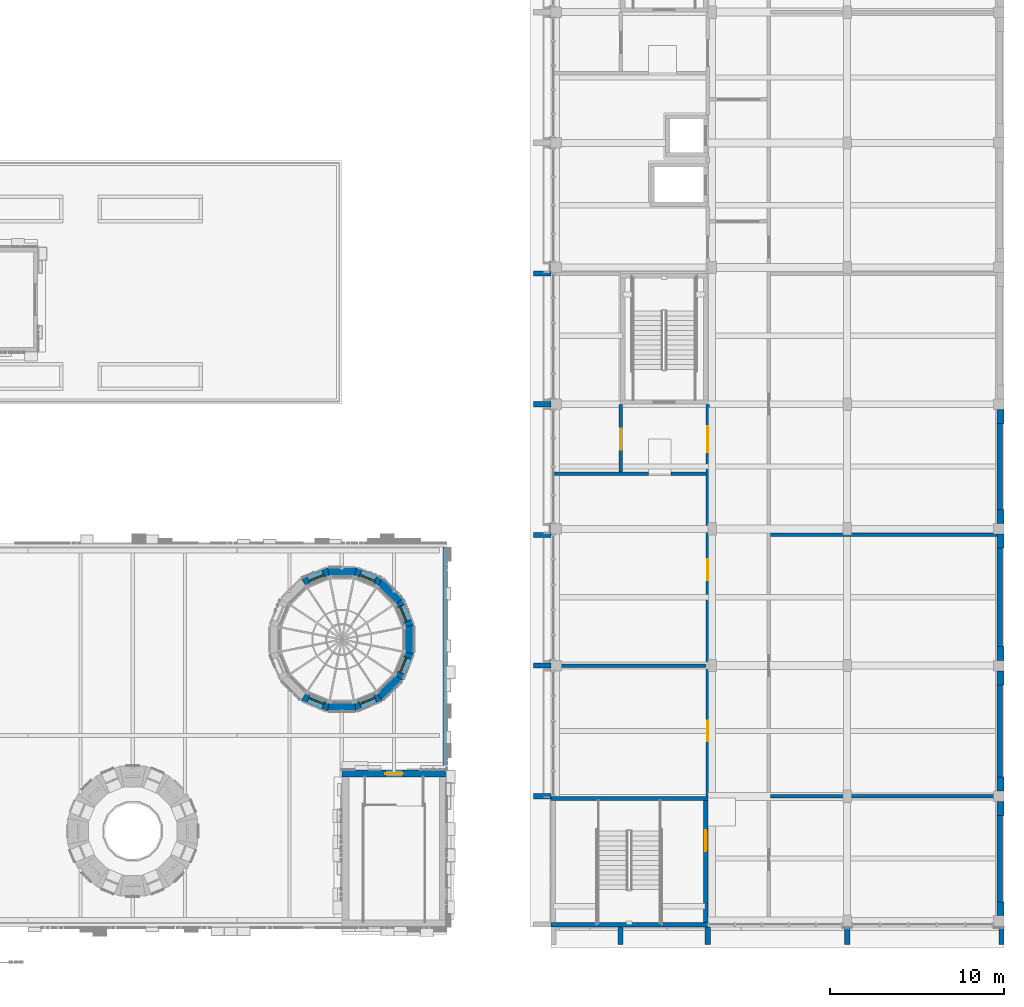
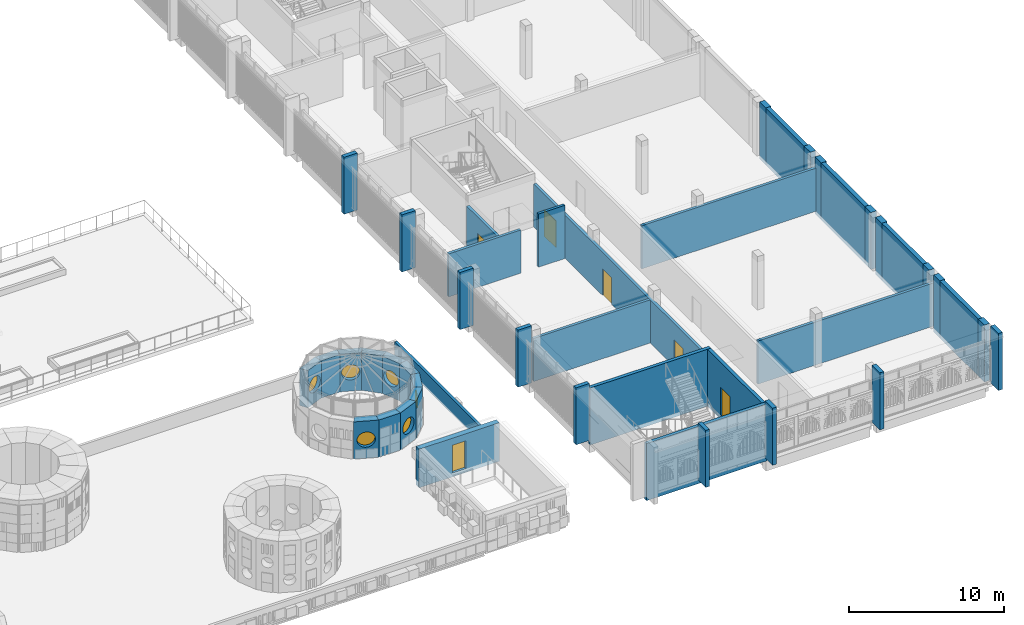
# One storey, part 54 of 98: 44 walls, 6 doors, 6 windows, 12 openings.
"""IFC4 building model written with IfcOpenShell, lengths in metres."""

from ifc_helpers import new_model, si_unit, direction, frame, frame_2d, origin, place, context, subcontext, project, spatial, polyline, rectangle, circle, outline, extrude, material, layer, layer_set, type_object, element, fill, save


model = new_model("IFC4")

# Units and contexts
model_context = context("Model", 3, precision=1e-05, world=origin(), true_north=direction((0.0, 1.0)))
body_context = subcontext(model_context, "Body", "Model", "MODEL_VIEW")
ifc_project = project(units=[si_unit("LENGTHUNIT", "METRE"), si_unit("AREAUNIT", "SQUARE_METRE"), si_unit("VOLUMEUNIT", "CUBIC_METRE"), si_unit("PLANEANGLEUNIT", "RADIAN"), si_unit("MASSUNIT", "GRAM", prefix="KILO")], contexts=[model_context])

# Site, building, storey
site_placement = place(None, origin())
site = spatial("IfcSite", under=ifc_project, at=site_placement, CompositionType="ELEMENT")
building_placement = place(site_placement, origin())
building = spatial("IfcBuilding", under=site, at=building_placement, Name="Sun Court Science Centre", CompositionType="ELEMENT")
storey_placement = place(building_placement, frame((0.0, 0.0, 15.75)))
storey = spatial("IfcBuildingStorey", under=building, at=storey_placement, Name="L03", CompositionType="ELEMENT", Elevation=15.75)

# Walls
ifc_material_1 = material(Name="Concrete C30/37", Category="concrete")
ifc_layer_1 = layer(ifc_material_1, 0.300048828125)
ifc_layer_set_1 = layer_set([ifc_layer_1], Name="Concrete C30/37")
wall_type_1 = type_object("IfcWallType", Name="Facade fin RC 300", PredefinedType="SOLIDWALL", material=ifc_layer_set_1)
for number, where, z_axis, x_axis, name in (
    (1, (77.0, 13.5, 0.0), (0.0, 0.0, 1.0), (1.0, 0.0, 0.0), "Facade fin 02 L03"),
    (2, (77.0, 21.0, 0.0), (0.0, 0.0, 1.0), (1.0, 0.0, 0.0), "Facade fin 03 L03"),
    (3, (77.0, 28.5, 0.0), (0.0, 0.0, 1.0), (1.0, 0.0, 0.0), "Facade fin 04 L03"),
    (4, (77.0, 36.0, 0.0), (0.0, 0.0, 1.0), (1.0, 0.0, 0.0), "Facade fin 05 L03"),
    (5, (77.0, 43.5, 0.0), (0.0, 0.0, 1.0), (1.0, 0.0, 0.0), "Facade fin 06 L03"),
    (6, (82.0, 6.0, 0.0), (0.0, 0.0, 1.0), (0.0, -1.0, 0.0), "Facade fin south 02 L03"),
    (7, (87.0, 6.0, 0.0), (0.0, 0.0, 1.0), (0.0, -1.0, 0.0), "Facade fin south 03 L03"),
    (8, (95.0, 6.0, 0.0), (0.0, 0.0, 1.0), (0.0, -1.0, 0.0), "Facade fin south 04 L03"),
    (9, (103.85009765625, 6.0, 0.0), (0.0, 0.0, 1.0), (0.0, -1.0, 0.0), "Facade fin south 05 L03"),
):
    element("IfcWall", number, at=place(storey_placement, frame(where, z_axis=z_axis, x_axis=x_axis)), inside=storey, type_object=wall_type_1, Name=name, PredefinedType="SOLIDWALL", context=body_context, shape_type="SweptSolid", body=[
        extrude(rectangle(XDim=1.0, YDim=0.300048828125, at=frame_2d((0.5, 0.0))), origin(), (0.0, 0.0, 1.0), 4.5),
    ])
ifc_material_2 = material(Name="Concrete block", Category="concrete")
ifc_layer_2 = layer(ifc_material_2, 0.199951171875)
ifc_layer_set_2 = layer_set([ifc_layer_2], Name="Concrete block")
wall_type_2 = type_object("IfcWallType", Name="Partition 200 block EI60", PredefinedType="PARTITIONING", material=ifc_layer_set_2)
wall_1_placement = place(storey_placement, frame((78.199951171875, 32.0, 0.0), z_axis=(0.0, 0.0, 1.0), x_axis=(1.0, 0.0, 0.0)))
element("IfcWall", 10, at=wall_1_placement, inside=storey, type_object=wall_type_2, Name="L03 partition 004", PredefinedType="PARTITIONING", context=body_context, shape_type="SweptSolid", body=[
    extrude(rectangle(XDim=5.400146484375, YDim=0.199951171875, at=frame_2d((2.7001953125, 0.0))), origin(), (0.0, 0.0, 1.0), 3.39990234375),
])
wall_2_placement = place(storey_placement, frame((84.89990234375, 32.0, 0.0), z_axis=(0.0, 0.0, 1.0), x_axis=(1.0, 0.0, 0.0)))
element("IfcWall", 11, at=wall_2_placement, inside=storey, type_object=wall_type_2, Name="L03 partition 005", PredefinedType="PARTITIONING", context=body_context, shape_type="SweptSolid", body=[
    extrude(rectangle(XDim=2.0, YDim=0.199951171875, at=frame_2d((1.0, 0.0))), origin(), (0.0, 0.0, 1.0), 4.199951171875),
])

# Wall, opening, door
wall_3_placement = place(storey_placement, frame((82.0, 32.10009765625, 0.0), z_axis=(0.0, 0.0, 1.0), x_axis=(0.0, 1.0, 0.0)))
wall_3 = element("IfcWall", 12, at=wall_3_placement, inside=storey, type_object=wall_type_2, Name="L03 partition 023", PredefinedType="PARTITIONING", context=body_context, shape_type="SweptSolid", body=[
    extrude(rectangle(XDim=3.89794921875, YDim=0.199951171875, at=frame_2d((1.948974609375, 0.0))), origin(), (0.0, 0.0, 1.0), 3.39990234375),
])
opening_1_placement = place(wall_3_placement, frame((1.301025390625, 0.0, 0.0)))
opening_1 = element("IfcOpeningElement", 13, at=opening_1_placement, cuts=wall_3, Name="Opening D-L03-017", PredefinedType="OPENING", context=body_context, shape_type="SweptSolid", body=[
    extrude(rectangle(XDim=1.199951171875, YDim=2.10009765625, at=frame_2d((0.60009765625, 1.050048828125))), frame((0.0, 0.10986328125, 0.0), z_axis=(0.0, -1.0, 0.0), x_axis=(1.0, 0.0, 0.0)), (0.0, 0.0, 1.0), 0.219970703125),
])
ifc_material_3 = material(Name="Timber", Category="wood")
door_type_1 = type_object("IfcDoorType", Name="Door 1200x2100 single leaf", OperationType="NOTDEFINED", PredefinedType="DOOR", material=ifc_material_3)
door_1_placement = place(opening_1_placement, origin())
door_1 = element("IfcDoor", 14, at=door_1_placement, inside=storey, type_object=door_type_1, Name="Door D-L03-017", OperationType="SINGLE_SWING_RIGHT", OverallHeight=2.10009765625, OverallWidth=1.199951171875, PredefinedType="DOOR", context=body_context, shape_type="SweptSolid", body=[
    extrude(rectangle(XDim=1.199951171875, YDim=2.10009765625, at=frame_2d((0.60009765625, 1.050048828125))), frame((0.0, 0.02490234375, 0.0), z_axis=(0.0, -1.0, 0.0), x_axis=(1.0, 0.0, 0.0)), (0.0, 0.0, 1.0), 0.050048828125),
])
fill(opening_1, door_1)

# Wall, openings, doors
ifc_material_4 = material(Name="Concrete block", Category="concrete")
ifc_layer_3 = layer(ifc_material_4, 0.199951171875)
ifc_layer_set_3 = layer_set([ifc_layer_3], Name="Concrete block")
wall_type_3 = type_object("IfcWallType", Name="Partition 200 corridor block EI120", PredefinedType="PARTITIONING", material=ifc_layer_set_3)
wall_4_placement = place(storey_placement, frame((87.0, 13.501953125, 0.0), z_axis=(0.0, 0.0, 1.0), x_axis=(0.0, 1.0, 0.0)))
wall_4 = element("IfcWall", 15, at=wall_4_placement, inside=storey, type_object=wall_type_3, Name="L03 partition 018", PredefinedType="PARTITIONING", context=body_context, shape_type="SweptSolid", body=[
    extrude(rectangle(XDim=22.49609375, YDim=0.199951171875, at=frame_2d((11.248046875, 0.0))), origin(), (0.0, 0.0, 1.0), 3.39990234375),
])
opening_2_placement = place(wall_4_placement, frame((19.748046875, 0.0, 0.0)))
opening_2 = element("IfcOpeningElement", 16, at=opening_2_placement, cuts=wall_4, Name="Opening D-L03-009", PredefinedType="OPENING", context=body_context, shape_type="SweptSolid", body=[
    extrude(rectangle(XDim=1.5, YDim=2.10009765625, at=frame_2d((0.75, 1.050048828125))), frame((0.0, 0.10986328125, 0.0), z_axis=(0.0, -1.0, 0.0), x_axis=(1.0, 0.0, 0.0)), (0.0, 0.0, 1.0), 0.219970703125),
])
opening_3_placement = place(wall_4_placement, frame((3.14794921875, 0.0, 0.0)))
opening_3 = element("IfcOpeningElement", 17, at=opening_3_placement, cuts=wall_4, Name="Opening D-L03-015", PredefinedType="OPENING", context=body_context, shape_type="SweptSolid", body=[
    extrude(rectangle(XDim=1.199951171875, YDim=2.10009765625, at=frame_2d((0.60009765625, 1.050048828125))), frame((0.0, 0.10986328125, 0.0), z_axis=(0.0, -1.0, 0.0), x_axis=(1.0, 0.0, 0.0)), (0.0, 0.0, 1.0), 0.219970703125),
])
opening_4_placement = place(wall_4_placement, frame((12.39794921875, 0.0, 0.0)))
opening_4 = element("IfcOpeningElement", 18, at=opening_4_placement, cuts=wall_4, Name="Opening D-L03-016", PredefinedType="OPENING", context=body_context, shape_type="SweptSolid", body=[
    extrude(rectangle(XDim=1.199951171875, YDim=2.10009765625, at=frame_2d((0.60009765625, 1.050048828125))), frame((0.0, 0.10986328125, 0.0), z_axis=(0.0, -1.0, 0.0), x_axis=(1.0, 0.0, 0.0)), (0.0, 0.0, 1.0), 0.219970703125),
])
ifc_material_5 = material(Name="Steel", Category="steel")
door_type_2 = type_object("IfcDoorType", Name="Door 1200x2100 single leaf FD60", OperationType="NOTDEFINED", PredefinedType="DOOR", material=ifc_material_5)
door_2_placement = place(opening_3_placement, origin())
door_2 = element("IfcDoor", 19, at=door_2_placement, inside=storey, type_object=door_type_2, Name="Door D-L03-015", OperationType="SINGLE_SWING_RIGHT", OverallHeight=2.10009765625, OverallWidth=1.199951171875, PredefinedType="DOOR", context=body_context, shape_type="SweptSolid", body=[
    extrude(rectangle(XDim=1.199951171875, YDim=2.10009765625, at=frame_2d((0.60009765625, 1.050048828125))), frame((0.0, 0.02490234375, 0.0), z_axis=(0.0, -1.0, 0.0), x_axis=(1.0, 0.0, 0.0)), (0.0, 0.0, 1.0), 0.050048828125),
])
fill(opening_3, door_2)
door_3_placement = place(opening_4_placement, origin())
door_3 = element("IfcDoor", 20, at=door_3_placement, inside=storey, type_object=door_type_2, Name="Door D-L03-016", OperationType="SINGLE_SWING_LEFT", OverallHeight=2.10009765625, OverallWidth=1.199951171875, PredefinedType="DOOR", context=body_context, shape_type="SweptSolid", body=[
    extrude(rectangle(XDim=1.199951171875, YDim=2.10009765625, at=frame_2d((0.60009765625, 1.050048828125))), frame((0.0, 0.02490234375, 0.0), z_axis=(0.0, -1.0, 0.0), x_axis=(1.0, 0.0, 0.0)), (0.0, 0.0, 1.0), 0.050048828125),
])
fill(opening_4, door_3)
ifc_material_6 = material(Name="Steel", Category="steel")
door_type_3 = type_object("IfcDoorType", Name="Door 1500x2100 double leaf FD60", OperationType="DOUBLE_DOOR_SINGLE_SWING", PredefinedType="DOOR", material=ifc_material_6)
door_4_placement = place(opening_2_placement, origin())
door_4 = element("IfcDoor", 21, at=door_4_placement, inside=storey, type_object=door_type_3, Name="Door D-L03-009", OperationType="DOUBLE_DOOR_SINGLE_SWING", OverallHeight=2.10009765625, OverallWidth=1.5, PredefinedType="DOOR", context=body_context, shape_type="SweptSolid", body=[
    extrude(rectangle(XDim=1.5, YDim=2.10009765625, at=frame_2d((0.75, 1.050048828125))), frame((0.0, 0.02490234375, 0.0), z_axis=(0.0, -1.0, 0.0), x_axis=(1.0, 0.0, 0.0)), (0.0, 0.0, 1.0), 0.050048828125),
])
fill(opening_2, door_4)

# Walls
ifc_material_7 = material(Name="Concrete block", Category="concrete")
ifc_layer_4 = layer(ifc_material_7, 0.199951171875)
ifc_layer_set_4 = layer_set([ifc_layer_4], Name="Concrete block")
wall_type_4 = type_object("IfcWallType", Name="Partition 200 laboratory block", PredefinedType="PARTITIONING", material=ifc_layer_set_4)
wall_5_placement = place(storey_placement, frame((90.60009765625, 13.5, 0.0), z_axis=(0.0, 0.0, 1.0), x_axis=(1.0, 0.0, 0.0)))
element("IfcWall", 22, at=wall_5_placement, inside=storey, type_object=wall_type_4, Name="L03 partition 001", PredefinedType="PARTITIONING", context=body_context, shape_type="SweptSolid", body=[
    extrude(rectangle(XDim=13.199951171875, YDim=0.199951171875, at=frame_2d((6.60009765625, 0.0))), origin(), (0.0, 0.0, 1.0), 3.39990234375),
])
wall_6_placement = place(storey_placement, frame((78.199951171875, 21.0, 0.0), z_axis=(0.0, 0.0, 1.0), x_axis=(1.0, 0.0, 0.0)))
element("IfcWall", 23, at=wall_6_placement, inside=storey, type_object=wall_type_4, Name="L03 partition 002", PredefinedType="PARTITIONING", context=body_context, shape_type="SweptSolid", body=[
    extrude(rectangle(XDim=8.699951171875, YDim=0.199951171875, at=frame_2d((4.35009765625, 0.0))), origin(), (0.0, 0.0, 1.0), 3.39990234375),
])
wall_7_placement = place(storey_placement, frame((90.60009765625, 28.5, 0.0), z_axis=(0.0, 0.0, 1.0), x_axis=(1.0, 0.0, 0.0)))
element("IfcWall", 24, at=wall_7_placement, inside=storey, type_object=wall_type_4, Name="L03 partition 003", PredefinedType="PARTITIONING", context=body_context, shape_type="SweptSolid", body=[
    extrude(rectangle(XDim=12.997802734375, YDim=0.199951171875, at=frame_2d((6.4990234375, 0.0))), origin(), (0.0, 0.0, 1.0), 3.39990234375),
])

# Wall, opening, window
ifc_material_8 = material(Name="Concrete C30/37", Category="concrete")
ifc_layer_5 = layer(ifc_material_8, 0.60009765625)
ifc_layer_set_5 = layer_set([ifc_layer_5], Name="Concrete C30/37")
wall_type_5 = type_object("IfcWallType", Name="RC cone ring wall exterior 600", PredefinedType="SHEAR", material=ifc_layer_set_5)
wall_8_placement = place(storey_placement, frame((69.842041015625, 23.20458984375, 0.110107421875), z_axis=(0.0, 0.0, 1.0), x_axis=(-0.382614973625, 0.923907886078, 0.0)))
wall_8 = element("IfcWall", 25, at=wall_8_placement, inside=storey, type_object=wall_type_5, Name="Cone 6 ring wall L03 segment 1", PredefinedType="SHEAR", context=body_context, shape_type="SweptSolid", body=[
    extrude(outline(polyline([(0.0, -0.300048828125), (1.638916015625, -0.300048828125), (1.519287109375, 0.30029296875), (0.119140625, 0.300048828125), (0.0, -0.300048828125)])), origin(), (0.0, 0.0, 1.0), 2.93994140625),
])
opening_5_placement = place(wall_8_placement, frame((0.219482421875, 0.0, 0.8701171875)))
opening_5 = element("IfcOpeningElement", 26, at=opening_5_placement, cuts=wall_8, Name="Opening WN-L03-049", PredefinedType="OPENING", context=body_context, shape_type="SweptSolid", body=[
    extrude(circle(Radius=0.60009765625, at=frame_2d((0.60009765625, 0.60009765625))), frame((0.0, 0.31005859375, 0.0), z_axis=(0.0, -1.0, 0.0), x_axis=(1.0, 0.0, 0.0)), (0.0, 0.0, 1.0), 0.6201171875),
])
ifc_material_9 = material(Name="Aluminium frame, 6-12-6 glazing", Category="aluminium")
window_type = type_object("IfcWindowType", Name="Round porthole 1200", PartitioningType="SINGLE_PANEL", PredefinedType="WINDOW", material=ifc_material_9)
window_1_placement = place(opening_5_placement, origin())
window_1 = element("IfcWindow", 27, at=window_1_placement, inside=storey, type_object=window_type, Name="Round porthole cone 6 ring 4 01", OverallHeight=1.199951171875, OverallWidth=1.199951171875, PartitioningType="SINGLE_PANEL", PredefinedType="WINDOW", context=body_context, shape_type="SweptSolid", body=[
    extrude(circle(Radius=0.60009765625, at=frame_2d((0.60009765625, 0.60009765625))), frame((0.0, 0.030029296875, 0.0), z_axis=(0.0, -1.0, 0.0), x_axis=(1.0, 0.0, 0.0)), (0.0, 0.0, 1.0), 0.06005859375),
])
fill(opening_5, window_1)

# Wall
wall_9_placement = place(storey_placement, frame((69.280029296875, 24.621337890625, 0.110107421875), z_axis=(0.0, 0.0, 1.0), x_axis=(-0.707106781187, 0.707106781187, 0.0)))
element("IfcWall", 28, at=wall_9_placement, inside=storey, type_object=wall_type_5, Name="Cone 6 ring wall L03 segment 2", PredefinedType="SHEAR", context=body_context, shape_type="SweptSolid", body=[
    extrude(outline(polyline([(0.0, -0.300048828125), (1.638671875, -0.300048828125), (1.519287109375, 0.30029296875), (0.119384765625, 0.30029296875), (0.0, -0.300048828125)])), origin(), (0.0, 0.0, 1.0), 2.93994140625),
])

# Wall, opening, window
wall_10_placement = place(storey_placement, frame((68.218505859375, 25.715087890625, 0.110107421875), z_axis=(0.0, 0.0, 1.0), x_axis=(-0.923907886078, 0.382614973625, 0.0)))
wall_10 = element("IfcWall", 29, at=wall_10_placement, inside=storey, type_object=wall_type_5, Name="Cone 6 ring wall L03 segment 3", PredefinedType="SHEAR", context=body_context, shape_type="SweptSolid", body=[
    extrude(outline(polyline([(-0.000244140625, -0.300048828125), (1.638671875, -0.300048828125), (1.519287109375, 0.300048828125), (0.119384765625, 0.30029296875), (-0.000244140625, -0.300048828125)])), origin(), (0.0, 0.0, 1.0), 2.93994140625),
])
opening_6_placement = place(wall_10_placement, frame((0.219482421875, 0.0, 0.8701171875)))
opening_6 = element("IfcOpeningElement", 30, at=opening_6_placement, cuts=wall_10, Name="Opening WN-L03-050", PredefinedType="OPENING", context=body_context, shape_type="SweptSolid", body=[
    extrude(circle(Radius=0.60009765625, at=frame_2d((0.60009765625, 0.60009765625))), frame((0.0, 0.31005859375, 0.0), z_axis=(0.0, -1.0, 0.0), x_axis=(1.0, 0.0, 0.0)), (0.0, 0.0, 1.0), 0.6201171875),
])
window_2_placement = place(opening_6_placement, origin())
window_2 = element("IfcWindow", 31, at=window_2_placement, inside=storey, type_object=window_type, Name="Round porthole cone 6 ring 4 03", OverallHeight=1.199951171875, OverallWidth=1.199951171875, PartitioningType="SINGLE_PANEL", PredefinedType="WINDOW", context=body_context, shape_type="SweptSolid", body=[
    extrude(circle(Radius=0.60009765625, at=frame_2d((0.60009765625, 0.60009765625))), frame((0.0, 0.030029296875, 0.0), z_axis=(0.0, -1.0, 0.0), x_axis=(1.0, 0.0, 0.0)), (0.0, 0.0, 1.0), 0.06005859375),
])
fill(opening_6, window_2)

# Wall
wall_11_placement = place(storey_placement, frame((66.8193359375, 26.3193359375, 0.110107421875), z_axis=(0.0, 0.0, 1.0), x_axis=(-1.0, 0.0, 0.0)))
element("IfcWall", 32, at=wall_11_placement, inside=storey, type_object=wall_type_5, Name="Cone 6 ring wall L03 segment 4", PredefinedType="SHEAR", context=body_context, shape_type="SweptSolid", body=[
    extrude(outline(polyline([(0.0, -0.300048828125), (1.638671875, -0.300048828125), (1.519287109375, 0.300048828125), (0.119384765625, 0.300048828125), (0.0, -0.300048828125)])), origin(), (0.0, 0.0, 1.0), 2.93994140625),
])

# Wall, opening, window
wall_12_placement = place(storey_placement, frame((65.29541015625, 26.342041015625, 0.110107421875), z_axis=(0.0, 0.0, 1.0), x_axis=(-0.923907886078, -0.382614973625, 0.0)))
wall_12 = element("IfcWall", 33, at=wall_12_placement, inside=storey, type_object=wall_type_5, Name="Cone 6 ring wall L03 segment 5", PredefinedType="SHEAR", context=body_context, shape_type="SweptSolid", body=[
    extrude(outline(polyline([(0.0, -0.300048828125), (1.638916015625, -0.300048828125), (1.519287109375, 0.30029296875), (0.119140625, 0.300048828125), (0.0, -0.300048828125)])), origin(), (0.0, 0.0, 1.0), 2.93994140625),
])
opening_7_placement = place(wall_12_placement, frame((0.219482421875, 0.0, 0.8701171875)))
opening_7 = element("IfcOpeningElement", 34, at=opening_7_placement, cuts=wall_12, Name="Opening WN-L03-051", PredefinedType="OPENING", context=body_context, shape_type="SweptSolid", body=[
    extrude(circle(Radius=0.60009765625, at=frame_2d((0.60009765625, 0.60009765625))), frame((0.0, 0.31005859375, 0.0), z_axis=(0.0, -1.0, 0.0), x_axis=(1.0, 0.0, 0.0)), (0.0, 0.0, 1.0), 0.6201171875),
])
window_3_placement = place(opening_7_placement, origin())
window_3 = element("IfcWindow", 35, at=window_3_placement, inside=storey, type_object=window_type, Name="Round porthole cone 6 ring 4 05", OverallHeight=1.199951171875, OverallWidth=1.199951171875, PartitioningType="SINGLE_PANEL", PredefinedType="WINDOW", context=body_context, shape_type="SweptSolid", body=[
    extrude(circle(Radius=0.60009765625, at=frame_2d((0.60009765625, 0.60009765625))), frame((0.0, 0.030029296875, 0.0), z_axis=(0.0, -1.0, 0.0), x_axis=(1.0, 0.0, 0.0)), (0.0, 0.0, 1.0), 0.06005859375),
])
fill(opening_7, window_3)

wall_13_placement = place(storey_placement, frame((63.781494140625, 19.284912109375, 0.110107421875), z_axis=(0.0, 0.0, 1.0), x_axis=(0.923907886078, -0.382614973625, 0.0)))
wall_13 = element("IfcWall", 36, at=wall_13_placement, inside=storey, type_object=wall_type_5, Name="Cone 6 ring wall L03 segment 11", PredefinedType="SHEAR", context=body_context, shape_type="SweptSolid", body=[
    extrude(outline(polyline([(-0.000244140625, -0.300048828125), (1.638671875, -0.300048828125), (1.519287109375, 0.300048828125), (0.119384765625, 0.30029296875), (-0.000244140625, -0.300048828125)])), origin(), (0.0, 0.0, 1.0), 2.93994140625),
])
opening_8_placement = place(wall_13_placement, frame((0.219482421875, 0.0, 0.8701171875)))
opening_8 = element("IfcOpeningElement", 37, at=opening_8_placement, cuts=wall_13, Name="Opening WN-L03-054", PredefinedType="OPENING", context=body_context, shape_type="SweptSolid", body=[
    extrude(circle(Radius=0.60009765625, at=frame_2d((0.60009765625, 0.60009765625))), frame((0.0, 0.31005859375, 0.0), z_axis=(0.0, -1.0, 0.0), x_axis=(1.0, 0.0, 0.0)), (0.0, 0.0, 1.0), 0.6201171875),
])
window_4_placement = place(opening_8_placement, origin())
window_4 = element("IfcWindow", 38, at=window_4_placement, inside=storey, type_object=window_type, Name="Round porthole cone 6 ring 4 11", OverallHeight=1.199951171875, OverallWidth=1.199951171875, PartitioningType="SINGLE_PANEL", PredefinedType="WINDOW", context=body_context, shape_type="SweptSolid", body=[
    extrude(circle(Radius=0.60009765625, at=frame_2d((0.60009765625, 0.60009765625))), frame((0.0, 0.030029296875, 0.0), z_axis=(0.0, -1.0, 0.0), x_axis=(1.0, 0.0, 0.0)), (0.0, 0.0, 1.0), 0.06005859375),
])
fill(opening_8, window_4)

# Wall
wall_14_placement = place(storey_placement, frame((65.1806640625, 18.6806640625, 0.110107421875), z_axis=(0.0, 0.0, 1.0), x_axis=(1.0, 0.0, 0.0)))
element("IfcWall", 39, at=wall_14_placement, inside=storey, type_object=wall_type_5, Name="Cone 6 ring wall L03 segment 12", PredefinedType="SHEAR", context=body_context, shape_type="SweptSolid", body=[
    extrude(outline(polyline([(0.0, -0.300048828125), (1.638671875, -0.300048828125), (1.519287109375, 0.300048828125), (0.119384765625, 0.300048828125), (0.0, -0.300048828125)])), origin(), (0.0, 0.0, 1.0), 2.93994140625),
])

# Wall, opening, window
wall_15_placement = place(storey_placement, frame((66.70458984375, 18.657958984375, 0.110107421875), z_axis=(0.0, 0.0, 1.0), x_axis=(0.923907886078, 0.382614973625, 0.0)))
wall_15 = element("IfcWall", 40, at=wall_15_placement, inside=storey, type_object=wall_type_5, Name="Cone 6 ring wall L03 segment 13", PredefinedType="SHEAR", context=body_context, shape_type="SweptSolid", body=[
    extrude(outline(polyline([(0.0, -0.300048828125), (1.638916015625, -0.300048828125), (1.519287109375, 0.30029296875), (0.119140625, 0.300048828125), (0.0, -0.300048828125)])), origin(), (0.0, 0.0, 1.0), 2.93994140625),
])
opening_9_placement = place(wall_15_placement, frame((0.219482421875, 0.0, 0.8701171875)))
opening_9 = element("IfcOpeningElement", 41, at=opening_9_placement, cuts=wall_15, Name="Opening WN-L03-055", PredefinedType="OPENING", context=body_context, shape_type="SweptSolid", body=[
    extrude(circle(Radius=0.60009765625, at=frame_2d((0.60009765625, 0.60009765625))), frame((0.0, 0.31005859375, 0.0), z_axis=(0.0, -1.0, 0.0), x_axis=(1.0, 0.0, 0.0)), (0.0, 0.0, 1.0), 0.6201171875),
])
window_5_placement = place(opening_9_placement, origin())
window_5 = element("IfcWindow", 42, at=window_5_placement, inside=storey, type_object=window_type, Name="Round porthole cone 6 ring 4 13", OverallHeight=1.199951171875, OverallWidth=1.199951171875, PartitioningType="SINGLE_PANEL", PredefinedType="WINDOW", context=body_context, shape_type="SweptSolid", body=[
    extrude(circle(Radius=0.60009765625, at=frame_2d((0.60009765625, 0.60009765625))), frame((0.0, 0.030029296875, 0.0), z_axis=(0.0, -1.0, 0.0), x_axis=(1.0, 0.0, 0.0)), (0.0, 0.0, 1.0), 0.06005859375),
])
fill(opening_9, window_5)

# Wall
wall_16_placement = place(storey_placement, frame((68.121337890625, 19.219970703125, 0.110107421875), z_axis=(0.0, 0.0, 1.0), x_axis=(0.707106781187, 0.707106781187, 0.0)))
element("IfcWall", 43, at=wall_16_placement, inside=storey, type_object=wall_type_5, Name="Cone 6 ring wall L03 segment 14", PredefinedType="SHEAR", context=body_context, shape_type="SweptSolid", body=[
    extrude(outline(polyline([(0.0, -0.300048828125), (1.638671875, -0.300048828125), (1.519287109375, 0.30029296875), (0.119384765625, 0.30029296875), (0.0, -0.300048828125)])), origin(), (0.0, 0.0, 1.0), 2.93994140625),
])

# Wall, opening, window
wall_17_placement = place(storey_placement, frame((69.215087890625, 20.281494140625, 0.110107421875), z_axis=(0.0, 0.0, 1.0), x_axis=(0.382614973625, 0.923907886078, 0.0)))
wall_17 = element("IfcWall", 44, at=wall_17_placement, inside=storey, type_object=wall_type_5, Name="Cone 6 ring wall L03 segment 15", PredefinedType="SHEAR", context=body_context, shape_type="SweptSolid", body=[
    extrude(outline(polyline([(-0.000244140625, -0.300048828125), (1.638671875, -0.300048828125), (1.519287109375, 0.300048828125), (0.119384765625, 0.30029296875), (-0.000244140625, -0.300048828125)])), origin(), (0.0, 0.0, 1.0), 2.93994140625),
])
opening_10_placement = place(wall_17_placement, frame((0.219482421875, 0.0, 0.8701171875)))
opening_10 = element("IfcOpeningElement", 45, at=opening_10_placement, cuts=wall_17, Name="Opening WN-L03-056", PredefinedType="OPENING", context=body_context, shape_type="SweptSolid", body=[
    extrude(circle(Radius=0.60009765625, at=frame_2d((0.60009765625, 0.60009765625))), frame((0.0, 0.31005859375, 0.0), z_axis=(0.0, -1.0, 0.0), x_axis=(1.0, 0.0, 0.0)), (0.0, 0.0, 1.0), 0.6201171875),
])
window_6_placement = place(opening_10_placement, origin())
window_6 = element("IfcWindow", 46, at=window_6_placement, inside=storey, type_object=window_type, Name="Round porthole cone 6 ring 4 15", OverallHeight=1.199951171875, OverallWidth=1.199951171875, PartitioningType="SINGLE_PANEL", PredefinedType="WINDOW", context=body_context, shape_type="SweptSolid", body=[
    extrude(circle(Radius=0.60009765625, at=frame_2d((0.60009765625, 0.60009765625))), frame((0.0, 0.030029296875, 0.0), z_axis=(0.0, -1.0, 0.0), x_axis=(1.0, 0.0, 0.0)), (0.0, 0.0, 1.0), 0.06005859375),
])
fill(opening_10, window_6)

# Walls
wall_18_placement = place(storey_placement, frame((69.8193359375, 21.6806640625, 0.110107421875), z_axis=(0.0, 0.0, 1.0), x_axis=(0.0, 1.0, 0.0)))
element("IfcWall", 47, at=wall_18_placement, inside=storey, type_object=wall_type_5, Name="Cone 6 ring wall L03 segment 16", PredefinedType="SHEAR", context=body_context, shape_type="SweptSolid", body=[
    extrude(outline(polyline([(0.0, -0.300048828125), (1.638671875, -0.300048828125), (1.519287109375, 0.300048828125), (0.119384765625, 0.300048828125), (0.0, -0.300048828125)])), origin(), (0.0, 0.0, 1.0), 2.93994140625),
])
ifc_material_10 = material(Name="Concrete C30/37", Category="concrete")
ifc_layer_6 = layer(ifc_material_10, 0.199951171875)
ifc_layer_set_6 = layer_set([ifc_layer_6], Name="Concrete C30/37")
wall_type_6 = type_object("IfcWallType", Name="RC parapet 200", PredefinedType="PARAPET", material=ifc_layer_set_6)
wall_19_placement = place(storey_placement, frame((71.89990234375, 27.800048828125, 0.0), z_axis=(0.0, 0.0, 1.0), x_axis=(0.0, -1.0, 0.0)))
element("IfcWall", 48, at=wall_19_placement, inside=storey, type_object=wall_type_6, Name="Roof parapet east face 01", PredefinedType="PARAPET", context=body_context, shape_type="SweptSolid", body=[
    extrude(rectangle(XDim=12.800048828125, YDim=0.199951171875, at=frame_2d((6.39990234375, 0.0))), origin(), (0.0, 0.0, 1.0), 1.199951171875),
])
ifc_material_11 = material(Name="Concrete C30/37", Category="concrete")
ifc_layer_7 = layer(ifc_material_11, 0.39990234375)
ifc_layer_set_7 = layer_set([ifc_layer_7], Name="Concrete C30/37")
wall_type_7 = type_object("IfcWallType", Name="RC party wall exterior 400", PredefinedType="SOLIDWALL", material=ifc_layer_set_7)
for number, where, z_axis, x_axis, name in (
    (49, (103.800048828125, 6.64990234375, -0.300048828125), (0.0, 0.0, 1.0), (0.0, 1.0, 0.0), "East party wall L03"),
    (50, (103.800048828125, 12.39990234375, -0.300048828125), (0.0, 0.0, 1.0), (0.0, 1.0, 0.0), "East party wall L03"),
    (51, (103.800048828125, 13.800048828125, -0.300048828125), (0.0, 0.0, 1.0), (0.0, 1.0, 0.0), "East party wall L03"),
    (52, (103.800048828125, 19.89990234375, -0.300048828125), (0.0, 0.0, 1.0), (0.0, 1.0, 0.0), "East party wall L03"),
    (53, (103.800048828125, 21.300048828125, -0.300048828125), (0.0, 0.0, 1.0), (0.0, 1.0, 0.0), "East party wall L03"),
    (54, (103.800048828125, 27.75, -0.300048828125), (0.0, 0.0, 1.0), (0.0, 1.0, 0.0), "East party wall L03"),
    (55, (103.800048828125, 29.14990234375, -0.300048828125), (0.0, 0.0, 1.0), (0.0, 1.0, 0.0), "East party wall L03"),
    (56, (103.800048828125, 34.89990234375, -0.300048828125), (0.0, 0.0, 1.0), (0.0, 1.0, 0.0), "East party wall L03"),
):
    element("IfcWall", number, at=place(storey_placement, frame(where, z_axis=z_axis, x_axis=x_axis)), inside=storey, type_object=wall_type_7, Name=name, PredefinedType="SOLIDWALL", context=body_context, shape_type="SweptSolid", body=[
        extrude(rectangle(XDim=0.800048828125, YDim=0.39990234375, at=frame_2d((0.39990234375, 0.0))), origin(), (0.0, 0.0, 1.0), 4.5),
    ])
ifc_material_12 = material(Name="Concrete C30/37", Category="concrete")
ifc_layer_8 = layer(ifc_material_12, 0.300048828125)
ifc_layer_set_8 = layer_set([ifc_layer_8], Name="Concrete C30/37")
wall_type_8 = type_object("IfcWallType", Name="RC party wall panel exterior 300", PredefinedType="SOLIDWALL", material=ifc_layer_set_8)
wall_20_placement = place(storey_placement, frame((103.75, 7.449951171875, -0.300048828125), z_axis=(0.0, 0.0, 1.0), x_axis=(0.0, 1.0, 0.0)))
element("IfcWall", 57, at=wall_20_placement, inside=storey, type_object=wall_type_8, Name="East party wall L03 panel", PredefinedType="SOLIDWALL", context=body_context, shape_type="SweptSolid", body=[
    extrude(rectangle(XDim=4.949951171875, YDim=0.300048828125, at=frame_2d((2.47509765625, 0.0))), origin(), (0.0, 0.0, 1.0), 4.5),
])
wall_21_placement = place(storey_placement, frame((103.75, 14.60009765625, -0.300048828125), z_axis=(0.0, 0.0, 1.0), x_axis=(0.0, 1.0, 0.0)))
element("IfcWall", 58, at=wall_21_placement, inside=storey, type_object=wall_type_8, Name="East party wall L03 panel", PredefinedType="SOLIDWALL", context=body_context, shape_type="SweptSolid", body=[
    extrude(rectangle(XDim=5.2998046875, YDim=0.300048828125, at=frame_2d((2.64990234375, 0.0))), origin(), (0.0, 0.0, 1.0), 4.5),
])
wall_22_placement = place(storey_placement, frame((103.75, 22.10009765625, -0.300048828125), z_axis=(0.0, 0.0, 1.0), x_axis=(0.0, 1.0, 0.0)))
element("IfcWall", 59, at=wall_22_placement, inside=storey, type_object=wall_type_8, Name="East party wall L03 panel", PredefinedType="SOLIDWALL", context=body_context, shape_type="SweptSolid", body=[
    extrude(rectangle(XDim=5.64990234375, YDim=0.300048828125, at=frame_2d((2.824951171875, 0.0))), origin(), (0.0, 0.0, 1.0), 4.5),
])
wall_23_placement = place(storey_placement, frame((103.75, 29.949951171875, -0.300048828125), z_axis=(0.0, 0.0, 1.0), x_axis=(0.0, 1.0, 0.0)))
element("IfcWall", 60, at=wall_23_placement, inside=storey, type_object=wall_type_8, Name="East party wall L03 panel", PredefinedType="SOLIDWALL", context=body_context, shape_type="SweptSolid", body=[
    extrude(rectangle(XDim=4.949951171875, YDim=0.300048828125, at=frame_2d((2.47509765625, 0.0))), origin(), (0.0, 0.0, 1.0), 4.5),
])
ifc_material_13 = material(Name="Concrete C30/37", Category="concrete")
ifc_layer_9 = layer(ifc_material_13, 0.25)
ifc_layer_set_9 = layer_set([ifc_layer_9], Name="Concrete C30/37")
wall_type_9 = type_object("IfcWallType", Name="RC stair core wall 250", PredefinedType="SHEAR", material=ifc_layer_set_9)
wall_24_placement = place(storey_placement, frame((78.0, 6.125, -0.300048828125), z_axis=(0.0, 0.0, 1.0), x_axis=(1.0, 0.0, 0.0)))
element("IfcWall", 61, at=wall_24_placement, inside=storey, type_object=wall_type_9, Name="Stair core SL1 wall S, L03", PredefinedType="SHEAR", context=body_context, shape_type="SweptSolid", body=[
    extrude(rectangle(XDim=9.0, YDim=0.25, at=frame_2d((4.5, 0.0))), origin(), (0.0, 0.0, 1.0), 4.5),
])

# Wall, opening, door
wall_25_placement = place(storey_placement, frame((86.875, 6.25, -0.300048828125), z_axis=(0.0, 0.0, 1.0), x_axis=(0.0, 1.0, 0.0)))
wall_25 = element("IfcWall", 62, at=wall_25_placement, inside=storey, type_object=wall_type_9, Name="Stair core SL1 wall E, L03", PredefinedType="SHEAR", context=body_context, shape_type="SweptSolid", body=[
    extrude(rectangle(XDim=7.0, YDim=0.25, at=frame_2d((3.5, 0.0))), origin(), (0.0, 0.0, 1.0), 4.5),
])
opening_11_placement = place(wall_25_placement, frame((4.10107421875, 0.0, 0.300048828125)))
opening_11 = element("IfcOpeningElement", 63, at=opening_11_placement, cuts=wall_25, Name="Opening D-L03-014", PredefinedType="OPENING", context=body_context, shape_type="SweptSolid", body=[
    extrude(rectangle(XDim=1.199951171875, YDim=2.199951171875, at=frame_2d((0.60009765625, 1.10009765625))), frame((0.0, 0.135009765625, 0.0), z_axis=(0.0, -1.0, 0.0), x_axis=(1.0, 0.0, 0.0)), (0.0, 0.0, 1.0), 0.27001953125),
])
ifc_material_14 = material(Name="Steel", Category="steel")
door_type_4 = type_object("IfcDoorType", Name="Door 1200x2200 single leaf FD60", OperationType="NOTDEFINED", PredefinedType="DOOR", material=ifc_material_14)
door_5_placement = place(opening_11_placement, origin())
door_5 = element("IfcDoor", 64, at=door_5_placement, inside=storey, type_object=door_type_4, Name="Door D-L03-014", OperationType="SINGLE_SWING_LEFT", OverallHeight=2.199951171875, OverallWidth=1.199951171875, PredefinedType="DOOR", context=body_context, shape_type="SweptSolid", body=[
    extrude(rectangle(XDim=1.199951171875, YDim=2.199951171875, at=frame_2d((0.60009765625, 1.10009765625))), frame((0.0, 0.02490234375, 0.0), z_axis=(0.0, -1.0, 0.0), x_axis=(1.0, 0.0, 0.0)), (0.0, 0.0, 1.0), 0.050048828125),
])
fill(opening_11, door_5)

# Wall
wall_26_placement = place(storey_placement, frame((78.0, 13.375, -0.300048828125), z_axis=(0.0, 0.0, 1.0), x_axis=(1.0, 0.0, 0.0)))
element("IfcWall", 65, at=wall_26_placement, inside=storey, type_object=wall_type_9, Name="Stair core SL1 wall N, L03", PredefinedType="SHEAR", context=body_context, shape_type="SweptSolid", body=[
    extrude(rectangle(XDim=9.0, YDim=0.25, at=frame_2d((4.5, 0.0))), origin(), (0.0, 0.0, 1.0), 4.5),
])

# Wall, opening, door
ifc_material_15 = material(Name="Concrete C30/37", Category="concrete")
ifc_layer_10 = layer(ifc_material_15, 0.39990234375)
ifc_layer_set_10 = layer_set([ifc_layer_10], Name="Concrete C30/37")
wall_type_10 = type_object("IfcWallType", Name="RC stair core wall 400", PredefinedType="SHEAR", material=ifc_layer_set_10)
wall_27_placement = place(storey_placement, frame((66.0, 14.800048828125, -0.300048828125), z_axis=(0.0, 0.0, 1.0), x_axis=(1.0, 0.0, 0.0)))
wall_27 = element("IfcWall", 66, at=wall_27_placement, inside=storey, type_object=wall_type_10, Name="Stair core SB3 wall N, L03", PredefinedType="SHEAR", context=body_context, shape_type="SweptSolid", body=[
    extrude(rectangle(XDim=6.0, YDim=0.39990234375, at=frame_2d((3.0, 0.0))), origin(), (0.0, 0.0, 1.0), 3.050048828125),
])
opening_12_placement = place(wall_27_placement, frame((2.5, 0.0, 0.300048828125)))
opening_12 = element("IfcOpeningElement", 67, at=opening_12_placement, cuts=wall_27, Name="Opening D-L03-003", PredefinedType="OPENING", context=body_context, shape_type="SweptSolid", body=[
    extrude(rectangle(XDim=1.0, YDim=2.199951171875, at=frame_2d((0.5, 1.10009765625))), frame((0.0, 0.2099609375, 0.0), z_axis=(0.0, -1.0, 0.0), x_axis=(1.0, 0.0, 0.0)), (0.0, 0.0, 1.0), 0.419921875),
])
ifc_material_16 = material(Name="Steel and glass", Category="steel")
door_type_5 = type_object("IfcDoorType", Name="Exterior door 1000 x 2200 single", OperationType="SINGLE_SWING_LEFT", PredefinedType="DOOR", material=ifc_material_16)
door_6_placement = place(opening_12_placement, origin())
door_6 = element("IfcDoor", 68, at=door_6_placement, inside=storey, type_object=door_type_5, Name="Roof access door D-L03-003 to the maintenance roof", OperationType="SINGLE_SWING_LEFT", OverallHeight=2.199951171875, OverallWidth=1.0, PredefinedType="DOOR", context=body_context, shape_type="SweptSolid", body=[
    extrude(rectangle(XDim=1.0, YDim=2.199951171875, at=frame_2d((0.5, 1.10009765625))), frame((0.0, 0.02490234375, 0.0), z_axis=(0.0, -1.0, 0.0), x_axis=(1.0, 0.0, 0.0)), (0.0, 0.0, 1.0), 0.050048828125),
])
fill(opening_12, door_6)

save(model, "model.ifc")
